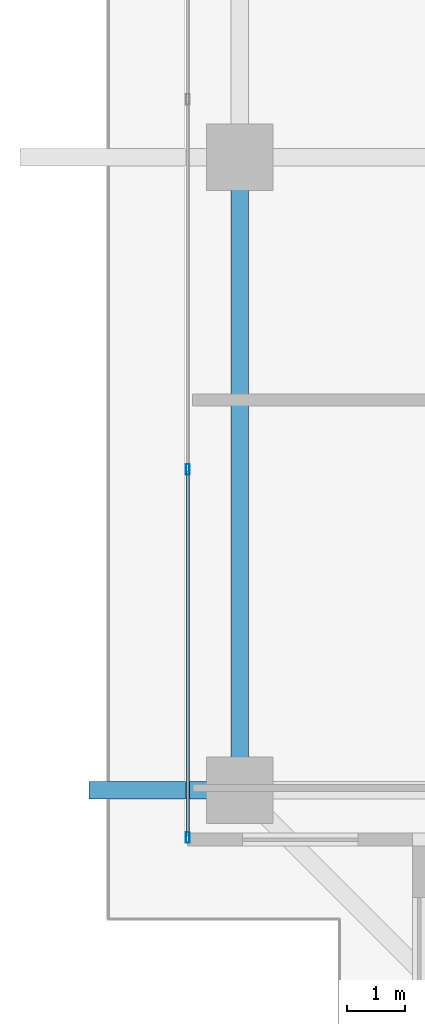
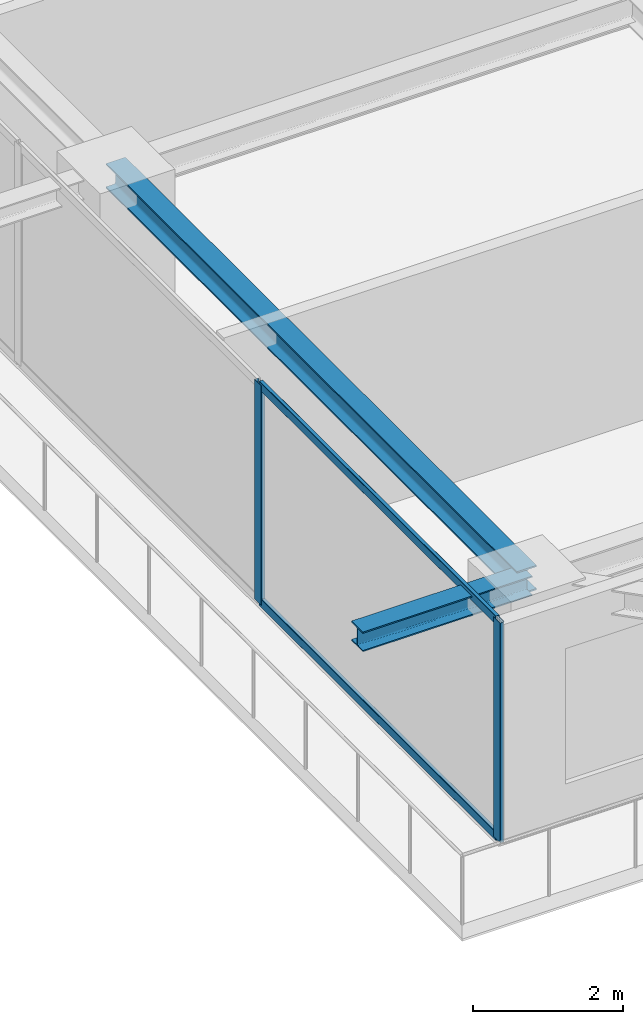
# One storey, part 3 of 37: 4 members, 2 beams, 1 element without a shape of its own.
"""IFC4 building model written with IfcOpenShell, lengths in metres."""

from ifc_helpers import new_model, si_unit, direction, frame, origin, origin_2d, place, context, subcontext, project, spatial, hollow_rectangle, i_section, extrude, source, transform, mapped, material, layer, layer_set, material_profile, profile_set, type_object, element, aggregate, save


model = new_model("IFC4")

# Units and contexts
model_context = context("Model", 3, precision=1e-05, world=origin(), true_north=direction((0.0, 1.0)))
body_context = subcontext(model_context, "Body", "Model", "MODEL_VIEW")
ifc_project = project(units=[si_unit("LENGTHUNIT", "METRE"), si_unit("AREAUNIT", "SQUARE_METRE"), si_unit("VOLUMEUNIT", "CUBIC_METRE"), si_unit("PLANEANGLEUNIT", "RADIAN"), si_unit("MASSUNIT", "GRAM", prefix="KILO")], contexts=[model_context])

# Site, building, storey
site_placement = place(None, origin())
site = spatial("IfcSite", under=ifc_project, at=site_placement, CompositionType="ELEMENT")
building_placement = place(site_placement, origin())
building = spatial("IfcBuilding", under=site, at=building_placement, Name="Serunith Strait Residences", CompositionType="ELEMENT")
storey_placement = place(building_placement, frame((0.0, 0.0, 248.949951171875)))
storey = spatial("IfcBuildingStorey", under=building, at=storey_placement, Name="L62", CompositionType="ELEMENT", Elevation=248.949951171875)

# Beams
ifc_material_1 = material(Name="Steel S355J2", Category="steel")
ifc_material_profile_1 = material_profile(ifc_material_1, i_section(OverallWidth=0.300048828125, OverallDepth=0.39990234375, WebThickness=0.013427734375, FlangeThickness=0.02392578125, FilletRadius=0.027099609375, at=origin_2d()), Name="HEB 400")
ifc_profile_set_1 = profile_set([ifc_material_profile_1], Name="Steel S355J2")
beam_type_1 = type_object("IfcBeamType", Name="BM-HEB400", PredefinedType="BEAM", material=ifc_profile_set_1)
shared_shape_1 = source(origin(), body_context, "Body", "SweptSolid", [
    extrude(i_section(OverallWidth=0.300048828125, OverallDepth=0.39990234375, WebThickness=0.013427734375, FlangeThickness=0.02392578125, FilletRadius=0.027099609375, at=origin_2d()), origin(), (0.0, 0.0, 1.0), 10.949951171875),
])
beam_1_placement = place(storey_placement, frame((8.300048828125, 21.0, 3.386962890625), z_axis=(0.0, -1.0, 0.0), x_axis=(1.0, 0.0, 0.0)))
element("IfcBeam", 1, at=beam_1_placement, inside=storey, type_object=beam_type_1, Name="L62 Perimeter Ring Beam 15", PredefinedType="BEAM", context=body_context, shape_type="MappedRepresentation", body=[
    mapped(shared_shape_1, transform((0.0, 0.0, 0.0), scale=1.0)),
])
ifc_material_profile_2 = material_profile(ifc_material_1, i_section(OverallWidth=0.300048828125, OverallDepth=0.320068359375, WebThickness=0.011474609375, FlangeThickness=0.0205078125, FilletRadius=0.027099609375, at=origin_2d()), Name="HEB 320")
ifc_profile_set_2 = profile_set([ifc_material_profile_2], Name="Steel S355J2")
beam_type_2 = type_object("IfcBeamType", Name="BM-HEB320", PredefinedType="BEAM", material=ifc_profile_set_2)
shared_shape_2 = source(origin(), body_context, "Body", "SweptSolid", [
    extrude(i_section(OverallWidth=0.300048828125, OverallDepth=0.320068359375, WebThickness=0.011474609375, FlangeThickness=0.0205078125, FilletRadius=0.027099609375, at=origin_2d()), origin(), (0.0, 0.0, 1.0), 2.607666015625),
])
beam_2_placement = place(storey_placement, frame((8.300048828125, 10.050048828125, 3.39697265625), z_axis=(-1.0, 0.0, 0.0), x_axis=(0.0, -1.0, 0.0)))
element("IfcBeam", 2, at=beam_2_placement, inside=storey, type_object=beam_type_2, Name="L63 Cantilevered Balcony Rib TC-W1", PredefinedType="BEAM", context=body_context, shape_type="MappedRepresentation", body=[
    mapped(shared_shape_2, transform((0.0, 0.0, 0.0), scale=1.0)),
])

# Curtain wall, members
ifc_material_2 = material(Name="Pale-Champagne Anodised Aluminium", Category="aluminium")
ifc_layer = layer(ifc_material_2, 0.199951171875, Name="Pale-Champagne Anodised Aluminium")
ifc_layer_set = layer_set([ifc_layer], Name="Pale-Champagne Anodised Aluminium")
curtain_wall_type = type_object("IfcCurtainWallType", Name="CW-SYS4", PredefinedType="NOTDEFINED", material=ifc_layer_set)
curtain_wall_placement = place(storey_placement, origin())
curtain_wall = element("IfcCurtainWall", 3, at=curtain_wall_placement, inside=storey, type_object=curtain_wall_type, Name="L62 W Unitised Fritted Curtain Wall", PredefinedType="NOTDEFINED")
ifc_material_profile_3 = material_profile(ifc_material_2, hollow_rectangle(XDim=0.06494140625, YDim=0.179931640625, WallThickness=0.00341796875, InnerFilletRadius=0.00537109375, OuterFilletRadius=0.0087890625, at=origin_2d()), Name="ALU 180x65x3.5")
ifc_profile_set_3 = profile_set([ifc_material_profile_3], Name="Pale-Champagne Anodised Aluminium")
member_type_1 = type_object("IfcMemberType", Name="CW-SYS4-MULL", PredefinedType="MULLION", material=ifc_profile_set_3)
shared_shape_3 = source(origin(), body_context, "Body", "SweptSolid", [
    extrude(hollow_rectangle(XDim=0.06494140625, YDim=0.179931640625, WallThickness=0.00341796875, InnerFilletRadius=0.00537109375, OuterFilletRadius=0.0087890625, at=origin_2d()), origin(), (0.0, 0.0, 1.0), 3.574951171875),
])
member_1_placement = place(storey_placement, frame((7.39990234375, 15.60009765625, 0.0), z_axis=(0.0, 0.0, 1.0), x_axis=(1.0, 0.0, 0.0)))
member_1 = element("IfcMember", 4, at=member_1_placement, type_object=member_type_1, Name="CW-4 mullion 5", PredefinedType="MULLION", context=body_context, shape_type="MappedRepresentation", body=[
    mapped(shared_shape_3, transform((0.0, 0.0, 0.0), scale=1.0)),
])
member_2_placement = place(storey_placement, frame((7.39990234375, 9.232421875, 0.0), z_axis=(0.0, 0.0, 1.0), x_axis=(1.0, 0.0, 0.0)))
member_2 = element("IfcMember", 5, at=member_2_placement, type_object=member_type_1, Name="CW-4 mullion 6", PredefinedType="MULLION", context=body_context, shape_type="MappedRepresentation", body=[
    mapped(shared_shape_3, transform((0.0, 0.0, 0.0), scale=1.0)),
])
ifc_material_profile_4 = material_profile(ifc_material_2, hollow_rectangle(XDim=0.06005859375, YDim=0.139892578125, WallThickness=0.00341796875, InnerFilletRadius=0.00537109375, OuterFilletRadius=0.0087890625, at=origin_2d()), Name="ALU 140x60x3.5")
ifc_profile_set_4 = profile_set([ifc_material_profile_4], Name="Pale-Champagne Anodised Aluminium")
member_type_2 = type_object("IfcMemberType", Name="CW-SYS4-TRAN", PredefinedType="USERDEFINED", material=ifc_profile_set_4)
shared_shape_4 = source(origin(), body_context, "Body", "SweptSolid", [
    extrude(hollow_rectangle(XDim=0.06005859375, YDim=0.139892578125, WallThickness=0.00341796875, InnerFilletRadius=0.00537109375, OuterFilletRadius=0.0087890625, at=origin_2d()), origin(), (0.0, 0.0, 1.0), 6.302490234375),
])
member_3_placement = place(storey_placement, frame((7.39990234375, 15.5673828125, 0.030029296875), z_axis=(0.0, -1.0, 0.0), x_axis=(1.0, 0.0, 0.0)))
member_3 = element("IfcMember", 6, at=member_3_placement, type_object=member_type_2, Name="CW-4 transom 5.1", ObjectType="TRANSOM", PredefinedType="USERDEFINED", context=body_context, shape_type="MappedRepresentation", body=[
    mapped(shared_shape_4, transform((0.0, 0.0, 0.0), scale=1.0)),
])
member_4_placement = place(storey_placement, frame((7.39990234375, 15.5673828125, 3.545166015625), z_axis=(0.0, -1.0, 0.0), x_axis=(1.0, 0.0, 0.0)))
member_4 = element("IfcMember", 7, at=member_4_placement, type_object=member_type_2, Name="CW-4 transom 5.2", ObjectType="TRANSOM", PredefinedType="USERDEFINED", context=body_context, shape_type="MappedRepresentation", body=[
    mapped(shared_shape_4, transform((0.0, 0.0, 0.0), scale=1.0)),
])
aggregate(curtain_wall, [member_1, member_2, member_3, member_4])

save(model, "model.ifc")
